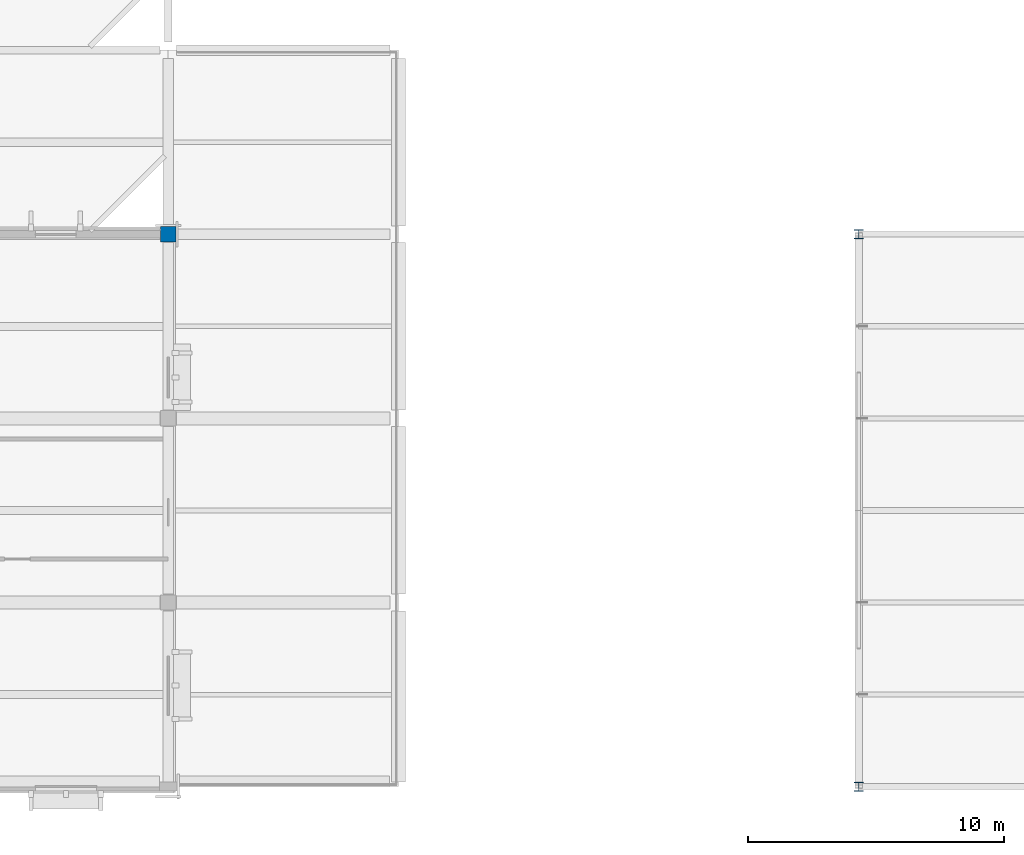
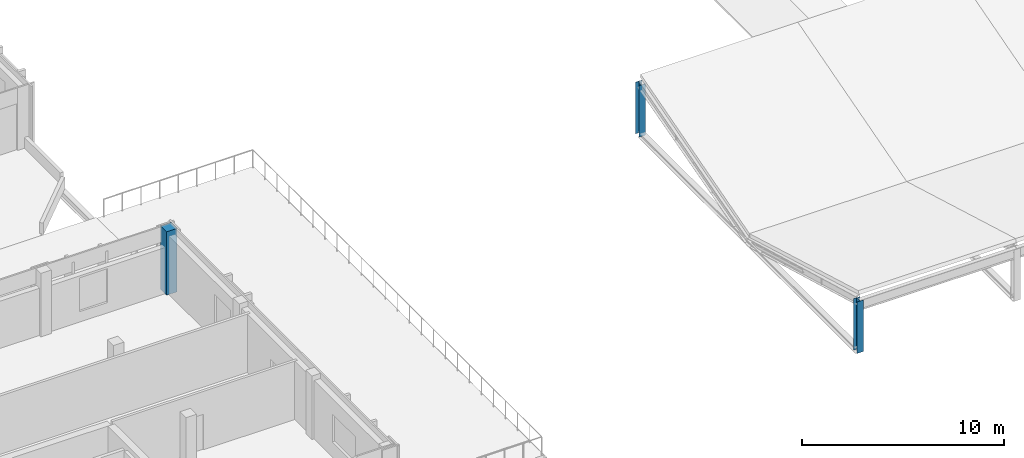
# One storey, part 2 of 64: 3 columns.
"""IFC4 building model written with IfcOpenShell, lengths in metres."""

import ifcopenshell
import ifcopenshell.guid

model = None  # the IFC model being written
_history = None  # IfcOwnerHistory: only IFC2X3 demands one
_inside = {}  # id of a spatial element -> (the spatial element, [elements in it])
_under = {}  # id of a project, library or spatial element -> (it, [spatial elements below it])
_declared = {}  # id of a project -> (the project, [libraries it declares])
_typed = {}  # id of a type object -> (the type object, [elements of that type])
_made_of = {}  # id of a material, layer set ... -> (it, [elements and type objects made of it])


def new_model(schema):
    """Start an empty IFC model of exactly this schema.

    Asked for "IFC4X3", IfcOpenShell would pick the latest addendum, in which some entities
    have other attributes; the version numbers below select the first issue.
    IFC2X3 requires an IfcOwnerHistory on every rooted entity: one is made here for all.
    """
    global model, _history
    if schema == "IFC4X3":
        model = ifcopenshell.file(schema_version=(4, 3, 0, 0))
    else:
        model = ifcopenshell.file(schema=schema)
    _inside.clear()
    _under.clear()
    _declared.clear()
    _typed.clear()
    _made_of.clear()
    _history = None
    if model.schema == "IFC2X3":
        org = make("IfcOrganization", Name="unknown")
        user = make(
            "IfcPersonAndOrganization",
            ThePerson=make("IfcPerson", FamilyName="unknown"),
            TheOrganization=org,
        )
        app = make(
            "IfcApplication",
            ApplicationDeveloper=org,
            Version="unknown",
            ApplicationFullName="unknown",
            ApplicationIdentifier="unknown",
        )
        _history = make(
            "IfcOwnerHistory",
            OwningUser=user,
            OwningApplication=app,
            ChangeAction="ADDED",
            CreationDate=0,
        )
    return model


def make(cls, **values):
    """One entity of the class cls with the attributes given. An attribute that is None is left unset."""
    return model.create_entity(
        cls, **{name: value for name, value in values.items() if value is not None}
    )


def rooted(cls, **values):
    """An entity with a GlobalId (a new one), such as an element, a storey or a relation."""
    return make(cls, GlobalId=ifcopenshell.guid.new(), OwnerHistory=_history, **values)


def si_unit(unit_type, name, prefix=None):
    """IfcSIUnit, for example si_unit("LENGTHUNIT", "METRE", prefix="MILLI")."""
    return make("IfcSIUnit", UnitType=unit_type, Prefix=prefix, Name=name)


def assignment(units):
    """IfcUnitAssignment: the units of a project."""
    return None if units is None else make("IfcUnitAssignment", Units=units)


def point(xyz):
    """IfcCartesianPoint."""
    return None if xyz is None else make("IfcCartesianPoint", Coordinates=xyz)


def direction(xyz):
    """IfcDirection."""
    return None if xyz is None else make("IfcDirection", DirectionRatios=xyz)


def frame(location, z_axis=None, x_axis=None):
    """IfcAxis2Placement3D, a coordinate frame: its origin and axes. An axis left out is left unset."""
    return make(
        "IfcAxis2Placement3D",
        Location=point(location),
        Axis=direction(z_axis),
        RefDirection=direction(x_axis),
    )


def frame_2d(location, x_axis=None):
    """IfcAxis2Placement2D, a coordinate frame in the plane: its origin and x axis."""
    return make(
        "IfcAxis2Placement2D", Location=point(location), RefDirection=direction(x_axis)
    )


def origin():
    """The frame at (0, 0, 0) with its axes left unset."""
    return frame((0.0, 0.0, 0.0))


def origin_2d():
    """The frame at (0, 0) in the plane with its x axis left unset."""
    return frame_2d((0.0, 0.0))


def place(relative_to, where):
    """IfcLocalPlacement: puts the frame where relative to a parent placement (None: the world)."""
    return make(
        "IfcLocalPlacement", PlacementRelTo=relative_to, RelativePlacement=where
    )


def context(
    kind, dimensions, precision=None, world=None, true_north=None, identifier=None
):
    """IfcGeometricRepresentationContext, for example the 3D "Model" context."""
    return make(
        "IfcGeometricRepresentationContext",
        ContextIdentifier=identifier,
        ContextType=kind,
        CoordinateSpaceDimension=dimensions,
        Precision=precision,
        WorldCoordinateSystem=world,
        TrueNorth=true_north,
    )


def subcontext(parent, identifier, kind, view, scale=None):
    """IfcGeometricRepresentationSubContext, for example "Body" below "Model"."""
    return make(
        "IfcGeometricRepresentationSubContext",
        ContextIdentifier=identifier,
        ContextType=kind,
        ParentContext=parent,
        TargetScale=scale,
        TargetView=view,
    )


def project(units=None, contexts=None):
    """IfcProject with its units and contexts."""
    return rooted(
        "IfcProject",
        Name="project",
        RepresentationContexts=contexts,
        UnitsInContext=assignment(units),
    )


def spatial(cls, under=None, at=None, **own):
    """A site, building, storey or space (cls), placed at a placement, below another one or the project."""
    s = rooted(cls, ObjectPlacement=at, **own)
    if under is not None:
        _under.setdefault(under.id(), (under, []))[1].append(s)
    return s


def profile(cls, at=None, kind="AREA", **sizes):
    """A parametric profile (cls). Its sizes go by their IFC names, for example OverallWidth=200.0."""
    return make(cls, ProfileType=kind, Position=at, **sizes)


def rectangle(**sizes):
    """IfcRectangleProfileDef."""
    return profile("IfcRectangleProfileDef", **sizes)


def i_section(**sizes):
    """IfcIShapeProfileDef."""
    return profile("IfcIShapeProfileDef", **sizes)


def extrude(swept, where, along, depth):
    """IfcExtrudedAreaSolid: the profile swept, set in the frame where, extruded along a direction by depth."""
    return make(
        "IfcExtrudedAreaSolid",
        SweptArea=swept,
        Position=where,
        ExtrudedDirection=direction(along),
        Depth=depth,
    )


def shape(context_of_items, identifier, shape_type, items):
    """IfcShapeRepresentation: the items that make up one representation, for example the "Body"."""
    return make(
        "IfcShapeRepresentation",
        ContextOfItems=context_of_items,
        RepresentationIdentifier=identifier,
        RepresentationType=shape_type,
        Items=items,
    )


def material(Name=None, Category=None):
    """IfcMaterial."""
    return make("IfcMaterial", Name=Name, Category=Category)


def material_profile(
    of_material, cross_section, Name=None, Category=None, Priority=None
):
    """IfcMaterialProfile: a cross section and its material."""
    return make(
        "IfcMaterialProfile",
        Name=Name,
        Material=of_material,
        Profile=cross_section,
        Priority=Priority,
        Category=Category,
    )


def profile_set(profiles, Name=None, composite=None):
    """IfcMaterialProfileSet."""
    return make(
        "IfcMaterialProfileSet",
        Name=Name,
        MaterialProfiles=profiles,
        CompositeProfile=composite,
    )


def made_of(thing, what):
    """Note that an element or type object is made of a material, layer set ...; save() writes the relation."""
    if what is not None:
        _made_of.setdefault(what.id(), (what, []))[1].append(thing)
    return thing


def type_object(cls, material=None, **own):
    """A type object (cls), such as IfcWallType, which elements share."""
    return made_of(rooted(cls, **own), material)


def element(
    cls,
    number,
    at=None,
    inside=None,
    cuts=None,
    type_object=None,
    material=None,
    context=None,
    identifier="Body",
    shape_type=None,
    held_by="IfcProductDefinitionShape",
    body=None,
    shapes=None,
    **own,
):
    """One element of the class cls, such as IfcWall. Its Tag is "e" and its number.

    at: its placement. inside: the storey or other place that contains it. cuts: it is an
    opening in that element (IfcRelVoidsElement). A single representation is given by context,
    identifier, shape_type and body (its items); several are given by shapes. held_by: the class
    of the entity that holds the representations. save() writes the other relations.
    """
    e = rooted(cls, Tag="e%d" % number, ObjectPlacement=at, **own)
    if body is not None:
        shapes = [shape(context, identifier, shape_type, body)]
    if shapes is not None:
        e.Representation = make(held_by, Representations=shapes)
    if inside is not None:
        _inside.setdefault(inside.id(), (inside, []))[1].append(e)
    if cuts is not None:
        rooted(
            "IfcRelVoidsElement", RelatingBuildingElement=cuts, RelatedOpeningElement=e
        )
    if type_object is not None:
        _typed.setdefault(type_object.id(), (type_object, []))[1].append(e)
    return made_of(e, material)


def aggregate(whole, parts):
    """IfcRelAggregates: a whole, such as a stair, and the parts it consists of."""
    return rooted("IfcRelAggregates", RelatingObject=whole, RelatedObjects=parts)


def save(model, path):
    """Write the relations noted so far, then the file.

    IfcRelAggregates (storeys below a building ...), IfcRelContainedInSpatialStructure (elements
    in a storey), IfcRelDefinesByType, IfcRelAssociatesMaterial and IfcRelDeclares: one each for
    every whole, place, type object, material and project.
    """
    for whole, parts in _under.values():
        aggregate(whole, parts)
    for where, things in _inside.values():
        rooted(
            "IfcRelContainedInSpatialStructure",
            RelatedElements=things,
            RelatingStructure=where,
        )
    for kind, things in _typed.values():
        rooted("IfcRelDefinesByType", RelatedObjects=things, RelatingType=kind)
    for what, things in _made_of.values():
        rooted("IfcRelAssociatesMaterial", RelatedObjects=things, RelatingMaterial=what)
    for by, libraries in _declared.values():
        rooted("IfcRelDeclares", RelatingContext=by, RelatedDefinitions=libraries)
    model.write(path)


model = new_model("IFC4")

# Units and contexts
model_context = context("Model", 3, precision=1e-05, world=origin(), true_north=direction((0.0, 1.0)))
body_context = subcontext(model_context, "Body", "Model", "MODEL_VIEW")
ifc_project = project(units=[si_unit("LENGTHUNIT", "METRE"), si_unit("AREAUNIT", "SQUARE_METRE"), si_unit("VOLUMEUNIT", "CUBIC_METRE"), si_unit("PLANEANGLEUNIT", "RADIAN"), si_unit("MASSUNIT", "GRAM", prefix="KILO")], contexts=[model_context])

# Site, building, storey
site_placement = place(None, origin())
site = spatial("IfcSite", under=ifc_project, at=site_placement, CompositionType="ELEMENT")
building_placement = place(site_placement, origin())
building = spatial("IfcBuilding", under=site, at=building_placement, Name="Vervanel Yard Central Library", CompositionType="ELEMENT")
storey_placement = place(building_placement, frame((0.0, 0.0, 8.93994140625)))
storey = spatial("IfcBuildingStorey", under=building, at=storey_placement, Name="L02", CompositionType="ELEMENT", Elevation=8.93994140625)

# Columns
ifc_material_1 = material(Name="Concrete C40/50", Category="concrete")
ifc_material_profile_1 = material_profile(ifc_material_1, rectangle(XDim=0.60009765625, YDim=0.60009765625, at=origin_2d()), Name="RC 600x600", Category="concrete")
ifc_profile_set_1 = profile_set([ifc_material_profile_1], Name="Concrete C40/50")
column_type_1 = type_object("IfcColumnType", Name="Concrete Column 600x600", PredefinedType="COLUMN", material=ifc_profile_set_1)
column_placement = place(storey_placement, frame((36.0, 21.60009765625, 0.0), z_axis=(0.0, 0.0, 1.0), x_axis=(1.0, 0.0, 0.0)))
element("IfcColumn", 1, at=column_placement, inside=storey, type_object=column_type_1, Name="L02 Concrete Column 600x600 (36.0, 21.6)", PredefinedType="COLUMN", context=body_context, shape_type="SweptSolid", body=[
    extrude(rectangle(XDim=0.60009765625, YDim=0.60009765625, at=origin_2d()), origin(), (0.0, 0.0, 1.0), 3.840087890625),
])
ifc_material_2 = material(Name="Steel ASTM A992 Grade 50", Category="steel")
ifc_material_profile_2 = material_profile(ifc_material_2, i_section(OverallWidth=0.368408203125, OverallDepth=0.355712890625, WebThickness=0.01123046875, FlangeThickness=0.01806640625, at=origin_2d()), Name="W14X90", Category="steel")
ifc_profile_set_2 = profile_set([ifc_material_profile_2], Name="Steel ASTM A992 Grade 50")
column_type_2 = type_object("IfcColumnType", Name="Steel Column W14X90", PredefinedType="COLUMN", material=ifc_profile_set_2)
for number, where, z_axis, x_axis, name in (
    (2, (63.0, 0.0, 0.0), (0.0, 0.0, 1.0), (1.0, 0.0, 0.0), "V5 Butterfly Eave Column S X=63.0"),
    (3, (63.0, 21.60009765625, 0.0), (0.0, 0.0, 1.0), (1.0, 0.0, 0.0), "V5 Butterfly Eave Column N X=63.0"),
):
    element("IfcColumn", number, at=place(storey_placement, frame(where, z_axis=z_axis, x_axis=x_axis)), inside=storey, type_object=column_type_2, Name=name, PredefinedType="COLUMN", context=body_context, shape_type="SweptSolid", body=[
        extrude(i_section(OverallWidth=0.368408203125, OverallDepth=0.355712890625, WebThickness=0.01123046875, FlangeThickness=0.01806640625, at=origin_2d()), origin(), (0.0, 0.0, 1.0), 3.116943359375),
    ])

save(model, "model.ifc")
